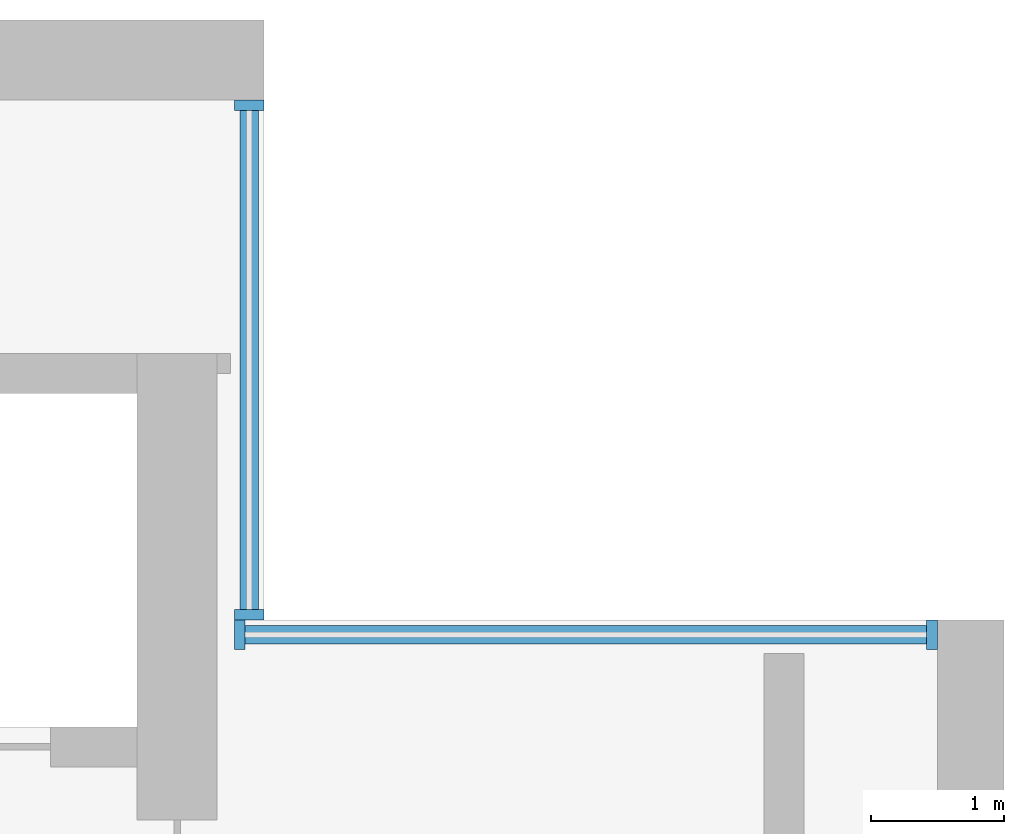
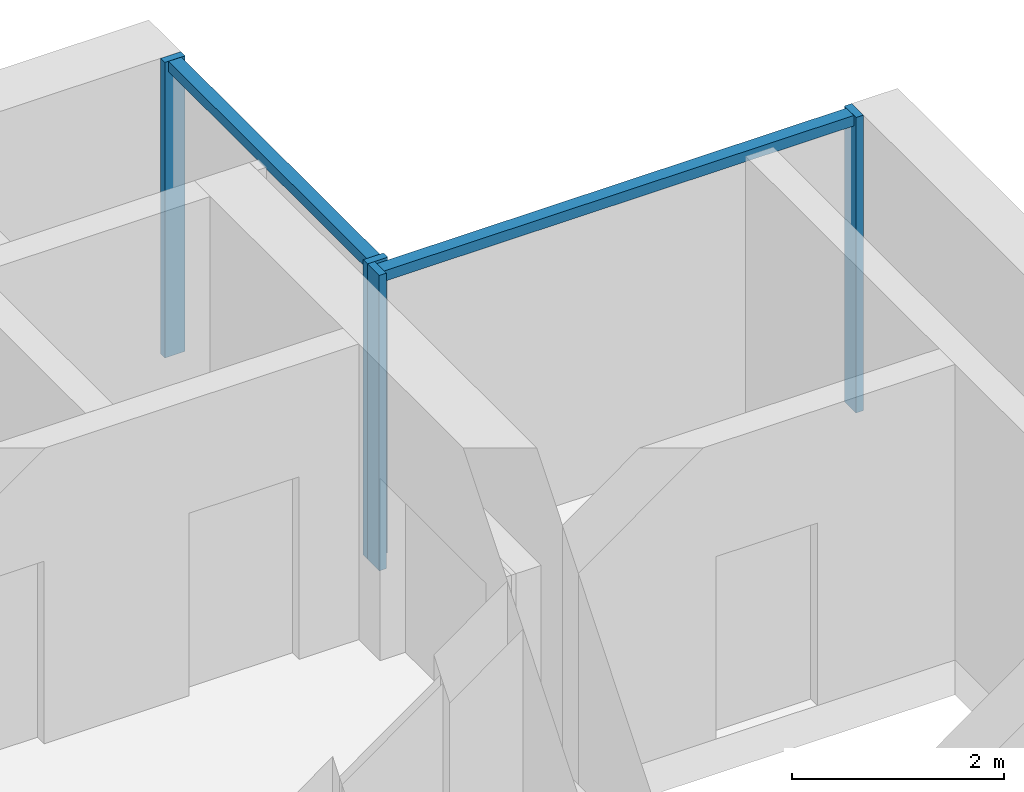
# One storey, part 5 of 14: 6 members, 2 elements without a shape of their own.
"""IFC4 building model written with IfcOpenShell, lengths in metres."""

from ifc_helpers import new_model, si_unit, direction, frame, origin, origin_2d, place, context, subcontext, project, spatial, rectangle, extrude, material, material_profile, profile_set, type_object, element, aggregate, save


model = new_model("IFC4")

# Units and contexts
model_context = context("Model", 3, precision=1e-05, world=origin(), true_north=direction((0.0, 1.0)))
body_context = subcontext(model_context, "Body", "Model", "MODEL_VIEW")
ifc_project = project(units=[si_unit("LENGTHUNIT", "METRE"), si_unit("AREAUNIT", "SQUARE_METRE"), si_unit("VOLUMEUNIT", "CUBIC_METRE"), si_unit("PLANEANGLEUNIT", "RADIAN"), si_unit("MASSUNIT", "GRAM", prefix="KILO")], contexts=[model_context])

# Site, building, storey
site_placement = place(None, origin())
site = spatial("IfcSite", under=ifc_project, at=site_placement, CompositionType="ELEMENT")
building_placement = place(site_placement, origin())
building = spatial("IfcBuilding", under=site, at=building_placement, Name="Calvaro Tower", CompositionType="ELEMENT")
storey_placement = place(building_placement, frame((0.0, 0.0, 246.949951171875)))
storey = spatial("IfcBuildingStorey", under=building, at=storey_placement, Name="L62", CompositionType="ELEMENT", Elevation=246.949951171875)

# Curtain wall, members
ifc_material_1 = material(Name="Anodised aluminium", Category="aluminium")
curtain_wall_type = type_object("IfcCurtainWallType", Name="Executive curtain wall", PredefinedType="NOTDEFINED", material=ifc_material_1)
curtain_wall_1_placement = place(storey_placement, origin())
curtain_wall_1 = element("IfcCurtainWall", 1, at=curtain_wall_1_placement, inside=storey, type_object=curtain_wall_type, Name="CW4 corner curtain wall", PredefinedType="NOTDEFINED")
ifc_material_2 = material(Name="Anodised aluminium", Category="aluminium")
ifc_material_profile_1 = material_profile(ifc_material_2, rectangle(XDim=0.219970703125, YDim=0.080078125, at=origin_2d()), Name="Mullion S4 80 x 220")
ifc_profile_set_1 = profile_set([ifc_material_profile_1], Name="Anodised aluminium")
member_type_1 = type_object("IfcMemberType", Name="Mullion S4 80 x 220", PredefinedType="MULLION", material=ifc_profile_set_1)
member_1_placement = place(storey_placement, frame((60.340087890625, 41.5400390625, 0.0), z_axis=(0.0, 0.0, 1.0), x_axis=(-1.0, 0.0, 0.0)))
member_1 = element("IfcMember", 2, at=member_1_placement, type_object=member_type_1, Name="CW4 mullion 1", PredefinedType="MULLION", context=body_context, shape_type="SweptSolid", body=[
    extrude(rectangle(XDim=0.219970703125, YDim=0.080078125, at=origin_2d()), origin(), (0.0, 0.0, 1.0), 3.400146484375),
])
member_2_placement = place(storey_placement, frame((60.340087890625, 45.360107421875, 0.0), z_axis=(0.0, 0.0, 1.0), x_axis=(-1.0, 0.0, 0.0)))
member_2 = element("IfcMember", 3, at=member_2_placement, type_object=member_type_1, Name="CW4 mullion 2", PredefinedType="MULLION", context=body_context, shape_type="SweptSolid", body=[
    extrude(rectangle(XDim=0.219970703125, YDim=0.080078125, at=origin_2d()), origin(), (0.0, 0.0, 1.0), 3.400146484375),
])

curtain_wall_2_placement = place(storey_placement, origin())
curtain_wall_2 = element("IfcCurtainWall", 4, at=curtain_wall_2_placement, inside=storey, type_object=curtain_wall_type, Name="CW4 corner curtain wall", PredefinedType="NOTDEFINED")
member_3_placement = place(storey_placement, frame((60.27001953125, 41.389892578125, 0.0), z_axis=(0.0, 0.0, 1.0), x_axis=(0.0, 1.0, 0.0)))
member_3 = element("IfcMember", 5, at=member_3_placement, type_object=member_type_1, Name="CW4 mullion 1", PredefinedType="MULLION", context=body_context, shape_type="SweptSolid", body=[
    extrude(rectangle(XDim=0.219970703125, YDim=0.080078125, at=origin_2d()), origin(), (0.0, 0.0, 1.0), 3.400146484375),
])
member_4_placement = place(storey_placement, frame((65.4599609375, 41.389892578125, 0.0), z_axis=(0.0, 0.0, 1.0), x_axis=(0.0, 1.0, 0.0)))
member_4 = element("IfcMember", 6, at=member_4_placement, type_object=member_type_1, Name="CW4 mullion 2", PredefinedType="MULLION", context=body_context, shape_type="SweptSolid", body=[
    extrude(rectangle(XDim=0.219970703125, YDim=0.080078125, at=origin_2d()), origin(), (0.0, 0.0, 1.0), 3.400146484375),
])

# Member
ifc_material_3 = material(Name="Anodised aluminium", Category="aluminium")
ifc_material_profile_2 = material_profile(ifc_material_3, rectangle(XDim=0.139892578125, YDim=0.1201171875, at=origin_2d()), Name="Transom S4 120 x 140")
ifc_profile_set_2 = profile_set([ifc_material_profile_2], Name="Anodised aluminium")
member_type_2 = type_object("IfcMemberType", Name="Transom S4 120 x 140", PredefinedType="USERDEFINED", material=ifc_profile_set_2)
member_5_placement = place(storey_placement, frame((60.340087890625, 41.580078125, 3.340087890625), z_axis=(0.0, 1.0, 0.0), x_axis=(-1.0, 0.0, 0.0)))
member_5 = element("IfcMember", 7, at=member_5_placement, type_object=member_type_2, Name="CW4 transom 1.1", ObjectType="TRANSOM", PredefinedType="USERDEFINED", context=body_context, shape_type="SweptSolid", body=[
    extrude(rectangle(XDim=0.139892578125, YDim=0.1201171875, at=origin_2d()), origin(), (0.0, 0.0, 1.0), 3.739990234375),
])

aggregate(curtain_wall_1, [member_1, member_2, member_5])

member_6_placement = place(storey_placement, frame((60.31005859375, 41.389892578125, 3.340087890625), z_axis=(1.0, 0.0, 0.0), x_axis=(0.0, 1.0, 0.0)))
member_6 = element("IfcMember", 8, at=member_6_placement, type_object=member_type_2, Name="CW4 transom 1.1", ObjectType="TRANSOM", PredefinedType="USERDEFINED", context=body_context, shape_type="SweptSolid", body=[
    extrude(rectangle(XDim=0.139892578125, YDim=0.1201171875, at=origin_2d()), origin(), (0.0, 0.0, 1.0), 5.10986328125),
])

aggregate(curtain_wall_2, [member_3, member_4, member_6])

save(model, "model.ifc")
